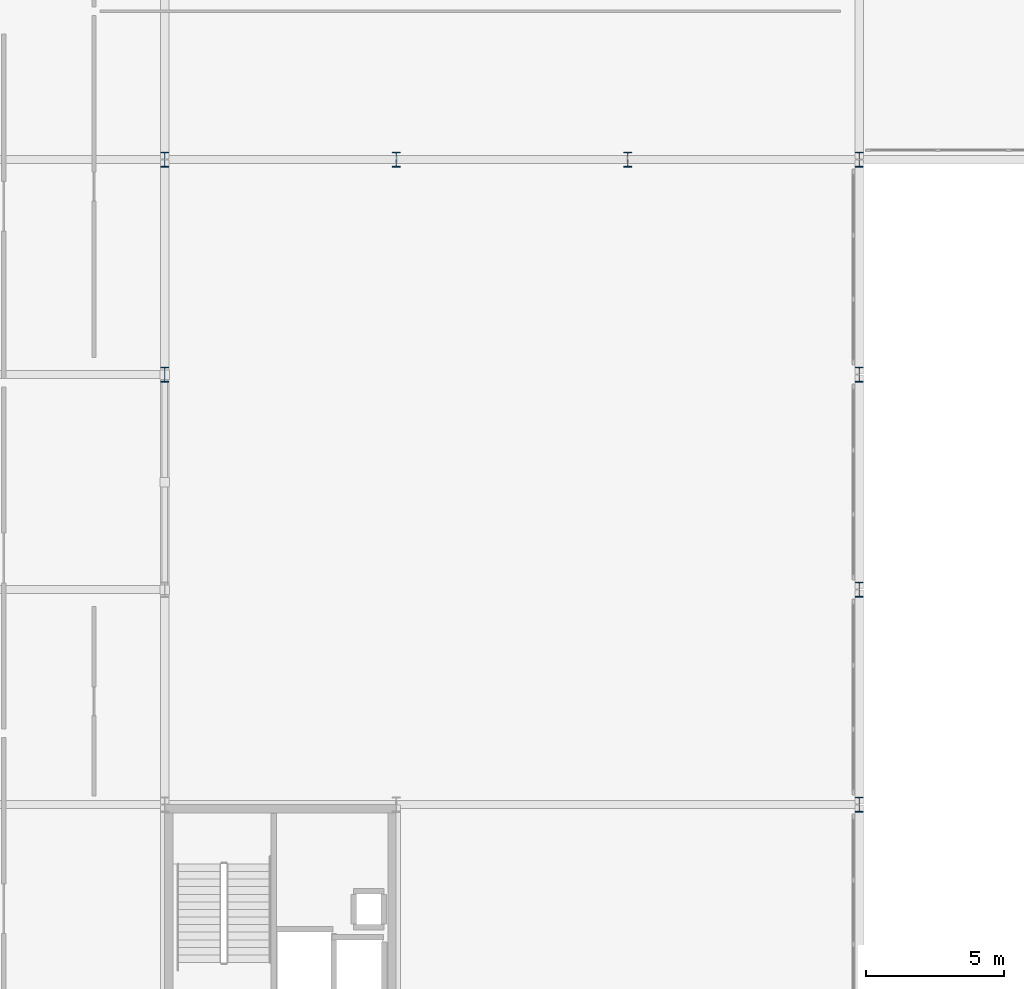
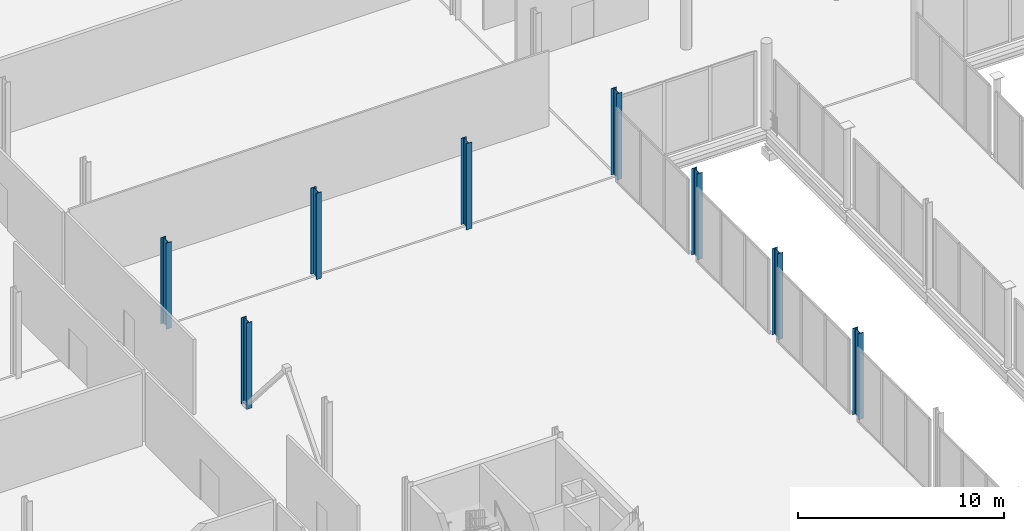
# One storey, part 9 of 105: 8 columns.
"""IFC4 building model written with IfcOpenShell, lengths in metres."""

from ifc_helpers import new_model, si_unit, direction, frame, origin, origin_2d, place, context, subcontext, project, spatial, i_section, extrude, material, material_profile, profile_set, type_object, element, save


model = new_model("IFC4")

# Units and contexts
model_context = context("Model", 3, precision=1e-05, world=origin(), true_north=direction((0.0, 1.0)))
body_context = subcontext(model_context, "Body", "Model", "MODEL_VIEW")
ifc_project = project(units=[si_unit("LENGTHUNIT", "METRE"), si_unit("AREAUNIT", "SQUARE_METRE"), si_unit("VOLUMEUNIT", "CUBIC_METRE"), si_unit("PLANEANGLEUNIT", "RADIAN"), si_unit("MASSUNIT", "GRAM", prefix="KILO")], contexts=[model_context])

# Site, building, storey
site_placement = place(None, origin())
site = spatial("IfcSite", under=ifc_project, at=site_placement, CompositionType="ELEMENT")
building_placement = place(site_placement, origin())
building = spatial("IfcBuilding", under=site, at=building_placement, Name="Nabrawat Pavilion Hospital", CompositionType="ELEMENT")
storey_placement = place(building_placement, frame((0.0, 0.0, 5.10009765625)))
storey = spatial("IfcBuildingStorey", under=building, at=storey_placement, Name="L01", CompositionType="ELEMENT", Elevation=5.10009765625)

# Columns
ifc_material = material(Name="Steel S355", Category="steel")
ifc_material_profile = material_profile(ifc_material, i_section(OverallWidth=0.300048828125, OverallDepth=0.550048828125, WebThickness=0.014892578125, FlangeThickness=0.029052734375, FilletRadius=0.027099609375, at=origin_2d()), Name="HEB 550")
ifc_profile_set = profile_set([ifc_material_profile], Name="Steel S355")
column_type = type_object("IfcColumnType", Name="Composite Steel Column HEB 550", PredefinedType="COLUMN", material=ifc_profile_set)
for number, where, z_axis, x_axis, name in (
    (1, (33.60009765625, 78.0, 0.0), (0.0, 0.0, 1.0), (1.0, 0.0, 0.0), "L01 Structural Column G-5-L"),
    (2, (33.60009765625, 85.800048828125, 0.0), (0.0, 0.0, 1.0), (1.0, 0.0, 0.0), "L01 Structural Column G-5-M1"),
    (3, (42.0, 85.800048828125, 0.0), (0.0, 0.0, 1.0), (1.0, 0.0, 0.0), "L01 Structural Column G-6-M1"),
    (4, (50.39990234375, 85.800048828125, 0.0), (0.0, 0.0, 1.0), (1.0, 0.0, 0.0), "L01 Structural Column G-7-M1"),
    (5, (58.800048828125, 62.39990234375, 0.0), (0.0, 0.0, 1.0), (1.0, 0.0, 0.0), "L01 Structural Column G-8A-J"),
    (6, (58.800048828125, 70.199951171875, 0.0), (0.0, 0.0, 1.0), (1.0, 0.0, 0.0), "L01 Structural Column G-8A-K"),
    (7, (58.800048828125, 78.0, 0.0), (0.0, 0.0, 1.0), (1.0, 0.0, 0.0), "L01 Structural Column G-8A-L"),
    (8, (58.800048828125, 85.800048828125, 0.0), (0.0, 0.0, 1.0), (1.0, 0.0, 0.0), "L01 Structural Column G-8A-M1"),
):
    element("IfcColumn", number, at=place(storey_placement, frame(where, z_axis=z_axis, x_axis=x_axis)), inside=storey, type_object=column_type, Name=name, PredefinedType="COLUMN", context=body_context, shape_type="SweptSolid", body=[
        extrude(i_section(OverallWidth=0.300048828125, OverallDepth=0.550048828125, WebThickness=0.014892578125, FlangeThickness=0.029052734375, FilletRadius=0.027099609375, at=origin_2d()), origin(), (0.0, 0.0, 1.0), 5.099853515625),
    ])

save(model, "model.ifc")
